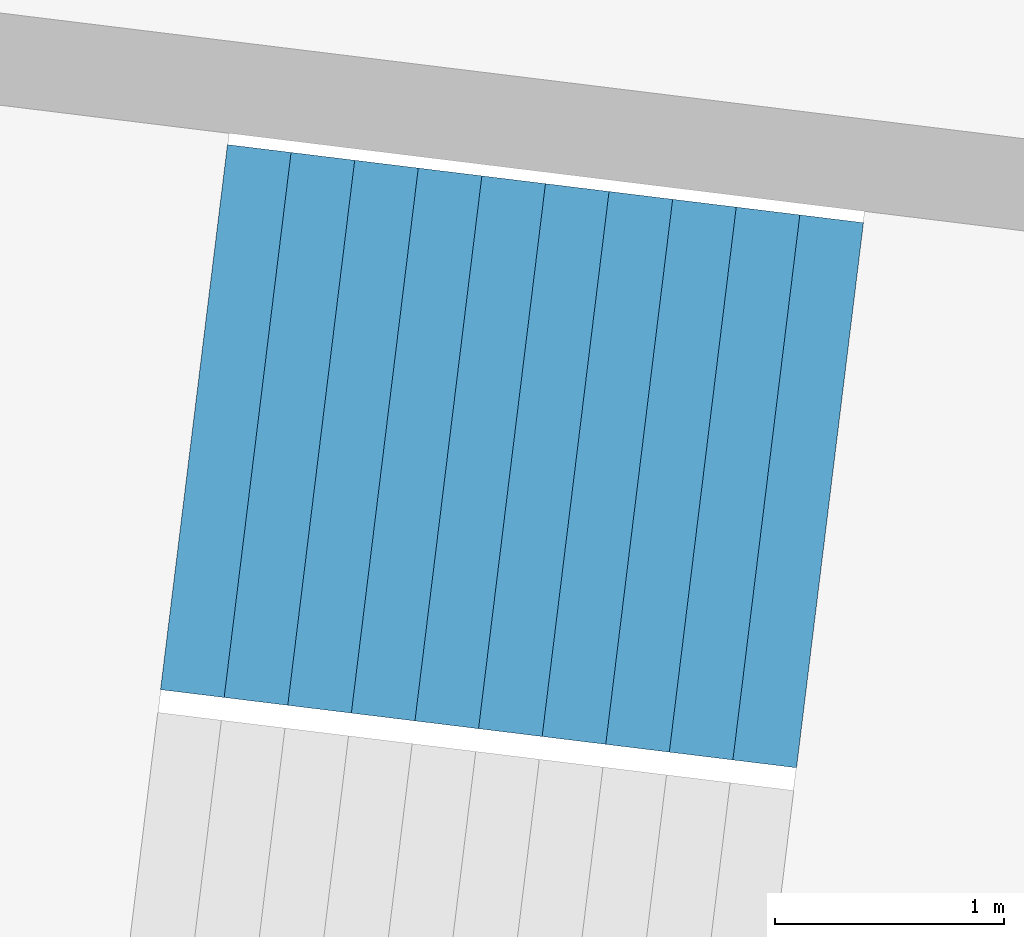
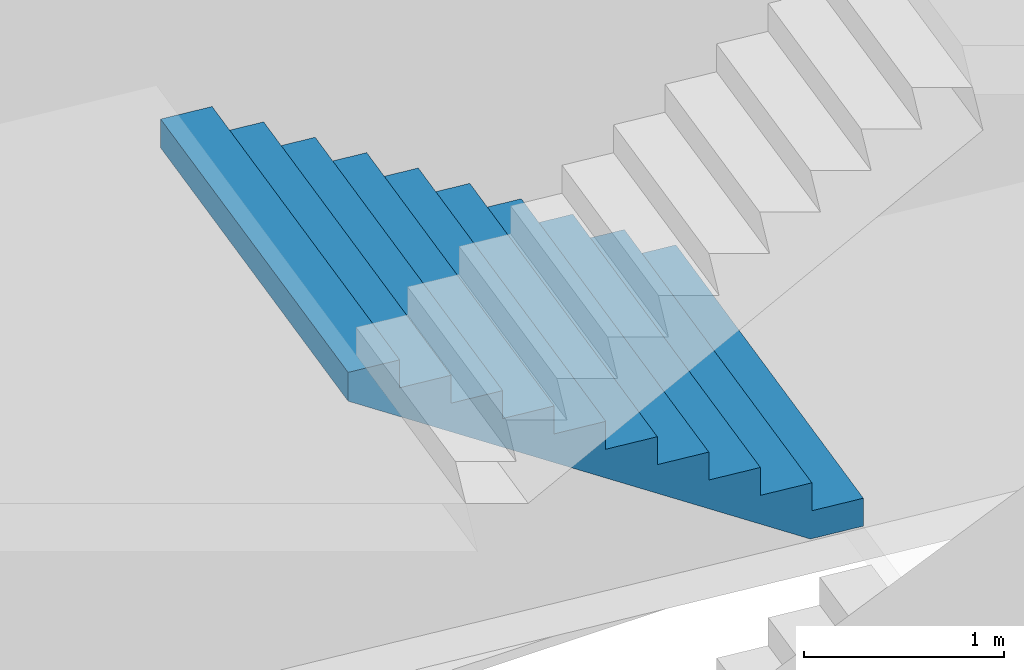
# One storey, part 55 of 73: 1 stair flight, 1 element without a shape of its own.
"""IFC4 building model written with IfcOpenShell, lengths in metres."""

from ifc_helpers import new_model, si_unit, direction, frame, origin, place, context, subcontext, project, spatial, triangles, material, type_object, element, aggregate, save


model = new_model("IFC4")

# Units and contexts
model_context = context("Model", 3, precision=1e-05, world=origin(), true_north=direction((0.0, 1.0)))
body_context = subcontext(model_context, "Body", "Model", "MODEL_VIEW")
ifc_project = project(units=[si_unit("LENGTHUNIT", "METRE"), si_unit("AREAUNIT", "SQUARE_METRE"), si_unit("VOLUMEUNIT", "CUBIC_METRE"), si_unit("PLANEANGLEUNIT", "RADIAN"), si_unit("MASSUNIT", "GRAM", prefix="KILO")], contexts=[model_context])

# Site, building, storey
site_placement = place(None, origin())
site = spatial("IfcSite", under=ifc_project, at=site_placement, CompositionType="ELEMENT")
building_placement = place(site_placement, origin())
building = spatial("IfcBuilding", under=site, at=building_placement, Name="Lantaw Convention Tower", CompositionType="ELEMENT")
storey_placement = place(building_placement, frame((0.0, 0.0, 14.5)))
storey = spatial("IfcBuildingStorey", under=building, at=storey_placement, Name="L02", CompositionType="ELEMENT", Elevation=14.5)

# Stair, stair flight
ifc_material = material(Name="Concrete C35/45", Category="concrete")
stair_type = type_object("IfcStairType", Name="Exit stair 2400 riser 170.45 in 4 flights", PredefinedType="HALF_TURN_STAIR", material=ifc_material)
stair_placement = place(storey_placement, origin())
stair = element("IfcStair", 1, at=stair_placement, inside=storey, type_object=stair_type, Name="Podium exit stair P13 L02", PredefinedType="HALF_TURN_STAIR")
stair_flight_type = type_object("IfcStairFlightType", Name="Stair flight 2400 riser 170.45", PredefinedType="STRAIGHT", material=ifc_material)
stair_flight_placement = place(storey_placement, frame((37.941162109375, -3.399169921875, 1.875), z_axis=(0.0, 0.0, 1.0), x_axis=(-0.992546151641, 0.121869343405, 0.0)))
stair_flight = element("IfcStairFlight", 2, at=stair_flight_placement, type_object=stair_flight_type, Name="P13 flight 2", NumberOfRisers=11, NumberOfTreads=10, PredefinedType="STRAIGHT", RiserHeight=0.170454545, TreadLength=0.28, context=body_context, shape_type="Tessellation", body=[
    triangles([(0.0, 1.199951171875, 0.0), (0.0, 1.199951171875, 0.170454545), (0.28, 1.199951171875, 0.0), (0.28, 1.199951171875, 0.170454545), (0.28, 1.199951171875, 0.34090909), (0.28827876332691904, 1.199951171875, 0.0), (0.28827876332691904, 1.199951171875, 0.34090909), (0.56, 1.199951171875, 0.16541471344266906), (0.56, 1.199951171875, 0.34090909), (0.56, 1.199951171875, 0.511363635), (0.8400000000000001, 1.199951171875, 0.335869258442669), (0.8400000000000001, 1.199951171875, 0.511363635), (0.8400000000000001, 1.199951171875, 0.68181818), (1.12, 1.199951171875, 0.506323803442669), (1.12, 1.199951171875, 0.68181818), (1.12, 1.199951171875, 0.8522727250000001), (1.4000000000000001, 1.199951171875, 0.676778348442669), (1.4000000000000001, 1.199951171875, 0.8522727250000001), (1.4000000000000001, 1.199951171875, 1.02272727), (1.6800000000000002, 1.199951171875, 0.847232893442669), (1.6800000000000002, 1.199951171875, 1.02272727), (1.6800000000000002, 1.199951171875, 1.193181815), (1.9600000000000002, 1.199951171875, 1.017687438442669), (1.9600000000000002, 1.199951171875, 1.193181815), (1.9600000000000002, 1.199951171875, 1.36363636), (2.24, 1.199951171875, 1.188141983442669), (2.24, 1.199951171875, 1.36363636), (2.24, 1.199951171875, 1.5340909050000002), (2.5200000000000005, 1.199951171875, 1.358596528442669), (2.5200000000000005, 1.199951171875, 1.5340909050000002), (2.5200000000000005, 1.199951171875, 1.7045454500000001), (2.8000000000000003, 1.199951171875, 1.529051073442669), (2.8000000000000003, 1.199951171875, 1.7045454500000001), (0.0, -1.199951171875, 0.0), (0.0, -1.199951171875, 0.170454545), (0.28, -1.199951171875, 0.0), (0.28, -1.199951171875, 0.170454545), (0.28, -1.199951171875, 0.34090909), (0.28827876332691904, -1.199951171875, 0.0), (0.28827876332691904, -1.199951171875, 0.34090909), (0.56, -1.199951171875, 0.16541471344266906), (0.56, -1.199951171875, 0.34090909), (0.56, -1.199951171875, 0.511363635), (0.8400000000000001, -1.199951171875, 0.335869258442669), (0.8400000000000001, -1.199951171875, 0.511363635), (0.8400000000000001, -1.199951171875, 0.68181818), (1.12, -1.199951171875, 0.506323803442669), (1.12, -1.199951171875, 0.68181818), (1.12, -1.199951171875, 0.8522727250000001), (1.4000000000000001, -1.199951171875, 0.676778348442669), (1.4000000000000001, -1.199951171875, 0.8522727250000001), (1.4000000000000001, -1.199951171875, 1.02272727), (1.6800000000000002, -1.199951171875, 0.847232893442669), (1.6800000000000002, -1.199951171875, 1.02272727), (1.6800000000000002, -1.199951171875, 1.193181815), (1.9600000000000002, -1.199951171875, 1.017687438442669), (1.9600000000000002, -1.199951171875, 1.193181815), (1.9600000000000002, -1.199951171875, 1.36363636), (2.24, -1.199951171875, 1.188141983442669), (2.24, -1.199951171875, 1.36363636), (2.24, -1.199951171875, 1.5340909050000002), (2.5200000000000005, -1.199951171875, 1.358596528442669), (2.5200000000000005, -1.199951171875, 1.5340909050000002), (2.5200000000000005, -1.199951171875, 1.7045454500000001), (2.8000000000000003, -1.199951171875, 1.529051073442669), (2.8000000000000003, -1.199951171875, 1.7045454500000001), (0.0, 0.239990234375, 0.170454545), (0.0, 0.239990234375, 0.0), (0.0, 0.1199951171875, 0.170454545), (0.0, 0.1199951171875, 0.0), (0.0, 0.0, 0.170454545), (0.0, 0.0, 0.0), (0.0, -0.1199951171875, 0.170454545), (0.0, -0.1199951171875, 0.0), (0.0, -0.239990234375, 0.170454545), (0.0, -0.239990234375, 0.0), (0.28, 0.239990234375, 0.34090909), (0.28, 0.239990234375, 0.170454545), (0.28, 0.1199951171875, 0.34090909), (0.28, 0.1199951171875, 0.170454545), (0.28, 0.0, 0.34090909), (0.28, 0.0, 0.170454545), (0.28, -0.1199951171875, 0.34090909), (0.28, -0.1199951171875, 0.170454545), (0.28, -0.239990234375, 0.34090909), (0.28, -0.239990234375, 0.170454545), (0.56, 0.239990234375, 0.511363635), (0.56, 0.239990234375, 0.34090909), (0.56, 0.1199951171875, 0.511363635), (0.56, 0.1199951171875, 0.34090909), (0.56, 0.0, 0.511363635), (0.56, 0.0, 0.34090909), (0.56, -0.1199951171875, 0.511363635), (0.56, -0.1199951171875, 0.34090909), (0.56, -0.239990234375, 0.511363635), (0.56, -0.239990234375, 0.34090909), (0.8400000000000001, 0.239990234375, 0.68181818), (0.8400000000000001, 0.239990234375, 0.511363635), (0.8400000000000001, 0.1199951171875, 0.68181818), (0.8400000000000001, 0.1199951171875, 0.511363635), (0.8400000000000001, 0.0, 0.68181818), (0.8400000000000001, 0.0, 0.511363635), (0.8400000000000001, -0.1199951171875, 0.68181818), (0.8400000000000001, -0.1199951171875, 0.511363635), (0.8400000000000001, -0.239990234375, 0.68181818), (0.8400000000000001, -0.239990234375, 0.511363635), (1.12, 0.239990234375, 0.8522727250000001), (1.12, 0.239990234375, 0.68181818), (1.12, 0.1199951171875, 0.8522727250000001), (1.12, 0.1199951171875, 0.68181818), (1.12, 0.0, 0.8522727250000001), (1.12, 0.0, 0.68181818), (1.12, -0.1199951171875, 0.8522727250000001), (1.12, -0.1199951171875, 0.68181818), (1.12, -0.239990234375, 0.8522727250000001), (1.12, -0.239990234375, 0.68181818), (1.4000000000000001, 0.239990234375, 1.02272727), (1.4000000000000001, 0.239990234375, 0.8522727250000001), (1.4000000000000001, 0.1199951171875, 1.02272727), (1.4000000000000001, 0.1199951171875, 0.8522727250000001), (1.4000000000000001, 0.0, 1.02272727), (1.4000000000000001, 0.0, 0.8522727250000001), (1.4000000000000001, -0.1199951171875, 1.02272727), (1.4000000000000001, -0.1199951171875, 0.8522727250000001), (1.4000000000000001, -0.239990234375, 1.02272727), (1.4000000000000001, -0.239990234375, 0.8522727250000001), (1.6800000000000002, 0.239990234375, 1.193181815), (1.6800000000000002, 0.239990234375, 1.02272727), (1.6800000000000002, 0.1199951171875, 1.193181815), (1.6800000000000002, 0.1199951171875, 1.02272727), (1.6800000000000002, 0.0, 1.193181815), (1.6800000000000002, 0.0, 1.02272727), (1.6800000000000002, -0.1199951171875, 1.193181815), (1.6800000000000002, -0.1199951171875, 1.02272727), (1.6800000000000002, -0.239990234375, 1.193181815), (1.6800000000000002, -0.239990234375, 1.02272727), (1.9600000000000002, 0.239990234375, 1.36363636), (1.9600000000000002, 0.239990234375, 1.193181815), (1.9600000000000002, 0.1199951171875, 1.36363636), (1.9600000000000002, 0.1199951171875, 1.193181815), (1.9600000000000002, 0.0, 1.36363636), (1.9600000000000002, 0.0, 1.193181815), (1.9600000000000002, -0.1199951171875, 1.36363636), (1.9600000000000002, -0.1199951171875, 1.193181815), (1.9600000000000002, -0.239990234375, 1.36363636), (1.9600000000000002, -0.239990234375, 1.193181815), (2.24, 0.239990234375, 1.5340909050000002), (2.24, 0.239990234375, 1.36363636), (2.24, 0.1199951171875, 1.5340909050000002), (2.24, 0.1199951171875, 1.36363636), (2.24, 0.0, 1.5340909050000002), (2.24, 0.0, 1.36363636), (2.24, -0.1199951171875, 1.5340909050000002), (2.24, -0.1199951171875, 1.36363636), (2.24, -0.239990234375, 1.5340909050000002), (2.24, -0.239990234375, 1.36363636), (2.5200000000000005, 0.239990234375, 1.7045454500000001), (2.5200000000000005, 0.239990234375, 1.5340909050000002), (2.5200000000000005, 0.1199951171875, 1.7045454500000001), (2.5200000000000005, 0.1199951171875, 1.5340909050000002), (2.5200000000000005, 0.0, 1.7045454500000001), (2.5200000000000005, 0.0, 1.5340909050000002), (2.5200000000000005, -0.1199951171875, 1.7045454500000001), (2.5200000000000005, -0.1199951171875, 1.5340909050000002), (2.5200000000000005, -0.239990234375, 1.7045454500000001), (2.5200000000000005, -0.239990234375, 1.5340909050000002), (0.28827876332691904, 0.239990234375, 0.34090909), (0.28827876332691904, 0.1199951171875, 0.34090909), (0.28827876332691904, 0.0, 0.34090909), (0.28827876332691904, -0.1199951171875, 0.34090909), (0.28827876332691904, -0.239990234375, 0.34090909), (2.8000000000000003, 0.239990234375, 1.7045454500000001), (2.8000000000000003, 0.1199951171875, 1.7045454500000001), (2.8000000000000003, 0.0, 1.7045454500000001), (2.8000000000000003, -0.1199951171875, 1.7045454500000001), (2.8000000000000003, -0.239990234375, 1.7045454500000001), (2.8000000000000003, 0.239990234375, 1.5290510734426692), (2.8000000000000003, 0.1199951171875, 1.5290510734426692), (2.8000000000000003, 0.0, 1.5290510734426692), (2.8000000000000003, -0.1199951171875, 1.5290510734426692), (2.8000000000000003, -0.239990234375, 1.5290510734426692), (2.5200000000000005, 0.239990234375, 1.358596528442669), (2.5200000000000005, 0.1199951171875, 1.358596528442669), (2.5200000000000005, 0.0, 1.358596528442669), (2.5200000000000005, -0.1199951171875, 1.358596528442669), (2.5200000000000005, -0.239990234375, 1.358596528442669), (2.24, 0.239990234375, 1.188141983442669), (2.24, 0.1199951171875, 1.188141983442669), (2.24, 0.0, 1.188141983442669), (2.24, -0.1199951171875, 1.188141983442669), (2.24, -0.239990234375, 1.188141983442669), (1.9600000000000002, 0.239990234375, 1.017687438442669), (1.9600000000000002, 0.1199951171875, 1.017687438442669), (1.9600000000000002, 0.0, 1.017687438442669), (1.9600000000000002, -0.1199951171875, 1.017687438442669), (1.9600000000000002, -0.239990234375, 1.017687438442669), (1.6800000000000002, 0.239990234375, 0.847232893442669), (1.6800000000000002, 0.1199951171875, 0.847232893442669), (1.6800000000000002, 0.0, 0.847232893442669), (1.6800000000000002, -0.1199951171875, 0.847232893442669), (1.6800000000000002, -0.239990234375, 0.847232893442669), (1.4000000000000001, 0.239990234375, 0.676778348442669), (1.4000000000000001, 0.1199951171875, 0.676778348442669), (1.4000000000000001, 0.0, 0.676778348442669), (1.4000000000000001, -0.1199951171875, 0.676778348442669), (1.4000000000000001, -0.239990234375, 0.676778348442669), (1.12, 0.239990234375, 0.506323803442669), (1.12, 0.1199951171875, 0.506323803442669), (1.12, 0.0, 0.506323803442669), (1.12, -0.1199951171875, 0.506323803442669), (1.12, -0.239990234375, 0.506323803442669), (0.8400000000000001, 0.239990234375, 0.335869258442669), (0.8400000000000001, 0.1199951171875, 0.335869258442669), (0.8400000000000001, 0.0, 0.335869258442669), (0.8400000000000001, -0.1199951171875, 0.335869258442669), (0.8400000000000001, -0.239990234375, 0.335869258442669), (0.56, 0.239990234375, 0.16541471344266906), (0.56, 0.1199951171875, 0.16541471344266906), (0.56, 0.0, 0.16541471344266906), (0.56, -0.1199951171875, 0.16541471344266906), (0.56, -0.239990234375, 0.16541471344266906), (0.28827876332691904, 0.239990234375, 0.0), (0.28827876332691904, 0.1199951171875, 0.0), (0.28827876332691904, 0.0, 0.0), (0.28827876332691904, -0.1199951171875, 0.0), (0.28827876332691904, -0.239990234375, 0.0), (0.28, 0.239990234375, 0.0), (0.28, 0.1199951171875, 0.0), (0.28, 0.0, 0.0), (0.28, -0.1199951171875, 0.0), (0.28, -0.239990234375, 0.0)], [[1, 4, 3], [1, 2, 4], [3, 4, 6], [4, 7, 6], [4, 5, 7], [6, 9, 8], [6, 7, 9], [8, 9, 11], [9, 12, 11], [9, 10, 12], [11, 12, 14], [12, 15, 14], [12, 13, 15], [14, 15, 17], [15, 18, 17], [15, 16, 18], [17, 18, 20], [18, 21, 20], [18, 19, 21], [20, 21, 23], [21, 24, 23], [21, 22, 24], [23, 24, 26], [24, 27, 26], [24, 25, 27], [26, 27, 29], [27, 30, 29], [27, 28, 30], [29, 30, 32], [30, 33, 32], [30, 31, 33], [34, 36, 37], [34, 37, 35], [36, 39, 37], [37, 39, 40], [37, 40, 38], [39, 41, 42], [39, 42, 40], [41, 44, 42], [42, 44, 45], [42, 45, 43], [44, 47, 45], [45, 47, 48], [45, 48, 46], [47, 50, 48], [48, 50, 51], [48, 51, 49], [50, 53, 51], [51, 53, 54], [51, 54, 52], [53, 56, 54], [54, 56, 57], [54, 57, 55], [56, 59, 57], [57, 59, 60], [57, 60, 58], [59, 62, 60], [60, 62, 63], [60, 63, 61], [62, 65, 63], [63, 65, 66], [63, 66, 64], [1, 67, 2], [1, 68, 67], [68, 69, 67], [68, 70, 69], [70, 71, 69], [70, 72, 71], [72, 73, 71], [72, 74, 73], [74, 75, 73], [74, 76, 75], [76, 35, 75], [76, 34, 35], [4, 77, 5], [4, 78, 77], [78, 79, 77], [78, 80, 79], [80, 81, 79], [80, 82, 81], [82, 83, 81], [82, 84, 83], [84, 85, 83], [84, 86, 85], [86, 38, 85], [86, 37, 38], [9, 87, 10], [9, 88, 87], [88, 89, 87], [88, 90, 89], [90, 91, 89], [90, 92, 91], [92, 93, 91], [92, 94, 93], [94, 95, 93], [94, 96, 95], [96, 43, 95], [96, 42, 43], [12, 97, 13], [12, 98, 97], [98, 99, 97], [98, 100, 99], [100, 101, 99], [100, 102, 101], [102, 103, 101], [102, 104, 103], [104, 105, 103], [104, 106, 105], [106, 46, 105], [106, 45, 46], [15, 107, 16], [15, 108, 107], [108, 109, 107], [108, 110, 109], [110, 111, 109], [110, 112, 111], [112, 113, 111], [112, 114, 113], [114, 115, 113], [114, 116, 115], [116, 49, 115], [116, 48, 49], [18, 117, 19], [18, 118, 117], [118, 119, 117], [118, 120, 119], [120, 121, 119], [120, 122, 121], [122, 123, 121], [122, 124, 123], [124, 125, 123], [124, 126, 125], [126, 52, 125], [126, 51, 52], [21, 127, 22], [21, 128, 127], [128, 129, 127], [128, 130, 129], [130, 131, 129], [130, 132, 131], [132, 133, 131], [132, 134, 133], [134, 135, 133], [134, 136, 135], [136, 55, 135], [136, 54, 55], [24, 137, 25], [24, 138, 137], [138, 139, 137], [138, 140, 139], [140, 141, 139], [140, 142, 141], [142, 143, 141], [142, 144, 143], [144, 145, 143], [144, 146, 145], [146, 58, 145], [146, 57, 58], [27, 147, 28], [27, 148, 147], [148, 149, 147], [148, 150, 149], [150, 151, 149], [150, 152, 151], [152, 153, 151], [152, 154, 153], [154, 155, 153], [154, 156, 155], [156, 61, 155], [156, 60, 61], [30, 157, 31], [30, 158, 157], [158, 159, 157], [158, 160, 159], [160, 161, 159], [160, 162, 161], [162, 163, 161], [162, 164, 163], [164, 165, 163], [164, 166, 165], [166, 64, 165], [166, 63, 64], [2, 78, 4], [2, 67, 78], [67, 80, 78], [67, 69, 80], [69, 82, 80], [69, 71, 82], [71, 84, 82], [71, 73, 84], [73, 86, 84], [73, 75, 86], [75, 37, 86], [75, 35, 37], [5, 167, 7], [5, 77, 167], [77, 168, 167], [77, 79, 168], [79, 169, 168], [79, 81, 169], [81, 170, 169], [81, 83, 170], [83, 171, 170], [83, 85, 171], [85, 40, 171], [85, 38, 40], [7, 88, 9], [7, 167, 88], [167, 90, 88], [167, 168, 90], [168, 92, 90], [168, 169, 92], [169, 94, 92], [169, 170, 94], [170, 96, 94], [170, 171, 96], [171, 42, 96], [171, 40, 42], [10, 98, 12], [10, 87, 98], [87, 100, 98], [87, 89, 100], [89, 102, 100], [89, 91, 102], [91, 104, 102], [91, 93, 104], [93, 106, 104], [93, 95, 106], [95, 45, 106], [95, 43, 45], [13, 108, 15], [13, 97, 108], [97, 110, 108], [97, 99, 110], [99, 112, 110], [99, 101, 112], [101, 114, 112], [101, 103, 114], [103, 116, 114], [103, 105, 116], [105, 48, 116], [105, 46, 48], [16, 118, 18], [16, 107, 118], [107, 120, 118], [107, 109, 120], [109, 122, 120], [109, 111, 122], [111, 124, 122], [111, 113, 124], [113, 126, 124], [113, 115, 126], [115, 51, 126], [115, 49, 51], [19, 128, 21], [19, 117, 128], [117, 130, 128], [117, 119, 130], [119, 132, 130], [119, 121, 132], [121, 134, 132], [121, 123, 134], [123, 136, 134], [123, 125, 136], [125, 54, 136], [125, 52, 54], [22, 138, 24], [22, 127, 138], [127, 140, 138], [127, 129, 140], [129, 142, 140], [129, 131, 142], [131, 144, 142], [131, 133, 144], [133, 146, 144], [133, 135, 146], [135, 57, 146], [135, 55, 57], [25, 148, 27], [25, 137, 148], [137, 150, 148], [137, 139, 150], [139, 152, 150], [139, 141, 152], [141, 154, 152], [141, 143, 154], [143, 156, 154], [143, 145, 156], [145, 60, 156], [145, 58, 60], [28, 158, 30], [28, 147, 158], [147, 160, 158], [147, 149, 160], [149, 162, 160], [149, 151, 162], [151, 164, 162], [151, 153, 164], [153, 166, 164], [153, 155, 166], [155, 63, 166], [155, 61, 63], [31, 172, 33], [31, 157, 172], [157, 173, 172], [157, 159, 173], [159, 174, 173], [159, 161, 174], [161, 175, 174], [161, 163, 175], [163, 176, 175], [163, 165, 176], [165, 66, 176], [165, 64, 66], [33, 177, 32], [33, 172, 177], [172, 178, 177], [172, 173, 178], [173, 179, 178], [173, 174, 179], [174, 180, 179], [174, 175, 180], [175, 181, 180], [175, 176, 181], [176, 65, 181], [176, 66, 65], [32, 182, 29], [32, 177, 182], [177, 183, 182], [177, 178, 183], [178, 184, 183], [178, 179, 184], [179, 185, 184], [179, 180, 185], [180, 186, 185], [180, 181, 186], [181, 62, 186], [181, 65, 62], [29, 187, 26], [29, 182, 187], [182, 188, 187], [182, 183, 188], [183, 189, 188], [183, 184, 189], [184, 190, 189], [184, 185, 190], [185, 191, 190], [185, 186, 191], [186, 59, 191], [186, 62, 59], [26, 192, 23], [26, 187, 192], [187, 193, 192], [187, 188, 193], [188, 194, 193], [188, 189, 194], [189, 195, 194], [189, 190, 195], [190, 196, 195], [190, 191, 196], [191, 56, 196], [191, 59, 56], [23, 197, 20], [23, 192, 197], [192, 198, 197], [192, 193, 198], [193, 199, 198], [193, 194, 199], [194, 200, 199], [194, 195, 200], [195, 201, 200], [195, 196, 201], [196, 53, 201], [196, 56, 53], [20, 202, 17], [20, 197, 202], [197, 203, 202], [197, 198, 203], [198, 204, 203], [198, 199, 204], [199, 205, 204], [199, 200, 205], [200, 206, 205], [200, 201, 206], [201, 50, 206], [201, 53, 50], [17, 207, 14], [17, 202, 207], [202, 208, 207], [202, 203, 208], [203, 209, 208], [203, 204, 209], [204, 210, 209], [204, 205, 210], [205, 211, 210], [205, 206, 211], [206, 47, 211], [206, 50, 47], [14, 212, 11], [14, 207, 212], [207, 213, 212], [207, 208, 213], [208, 214, 213], [208, 209, 214], [209, 215, 214], [209, 210, 215], [210, 216, 215], [210, 211, 216], [211, 44, 216], [211, 47, 44], [11, 217, 8], [11, 212, 217], [212, 218, 217], [212, 213, 218], [213, 219, 218], [213, 214, 219], [214, 220, 219], [214, 215, 220], [215, 221, 220], [215, 216, 221], [216, 41, 221], [216, 44, 41], [8, 222, 6], [8, 217, 222], [217, 223, 222], [217, 218, 223], [218, 224, 223], [218, 219, 224], [219, 225, 224], [219, 220, 225], [220, 226, 225], [220, 221, 226], [221, 39, 226], [221, 41, 39], [6, 227, 3], [6, 222, 227], [222, 228, 227], [222, 223, 228], [223, 229, 228], [223, 224, 229], [224, 230, 229], [224, 225, 230], [225, 231, 230], [225, 226, 231], [226, 36, 231], [226, 39, 36], [3, 68, 1], [3, 227, 68], [227, 70, 68], [227, 228, 70], [228, 72, 70], [228, 229, 72], [229, 74, 72], [229, 230, 74], [230, 76, 74], [230, 231, 76], [231, 34, 76], [231, 36, 34]], closed=True),
])
aggregate(stair, [stair_flight])

save(model, "model.ifc")
